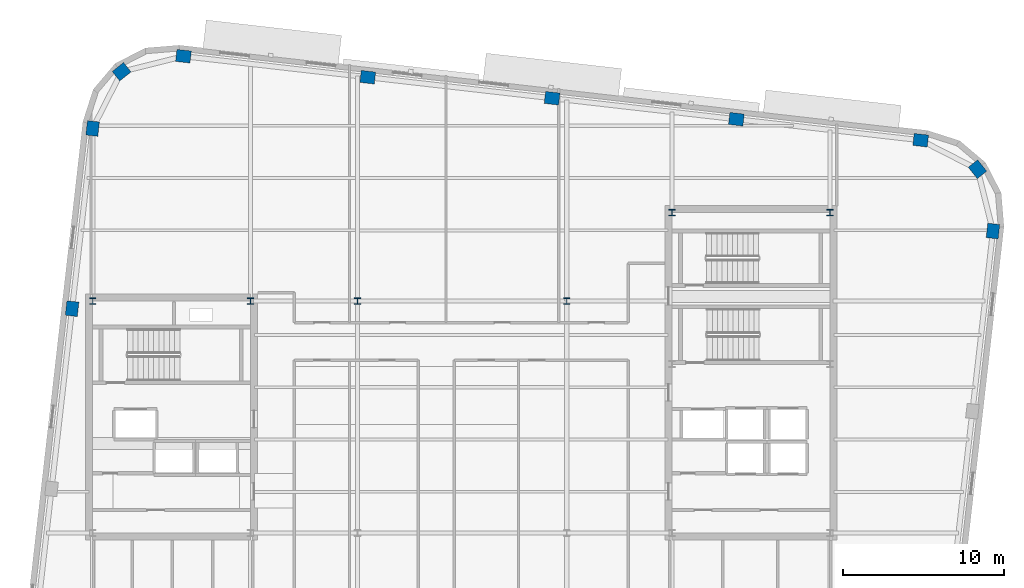
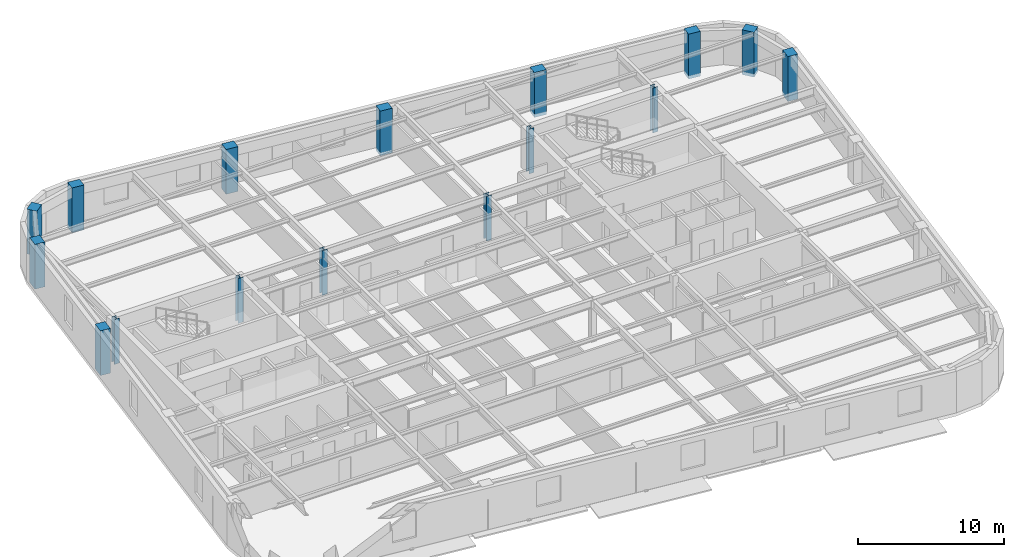
# One storey, part 2 of 13: 16 columns.
"""IFC4 building model written with IfcOpenShell, lengths in metres."""

from ifc_helpers import new_model, si_unit, direction, frame, origin, origin_2d, place, context, subcontext, project, spatial, rectangle, i_section, extrude, material, material_profile, profile_set, type_object, element, save


model = new_model("IFC4")

# Units and contexts
model_context = context("Model", 3, precision=1e-05, world=origin(), true_north=direction((0.0, 1.0)))
body_context = subcontext(model_context, "Body", "Model", "MODEL_VIEW")
ifc_project = project(units=[si_unit("LENGTHUNIT", "METRE"), si_unit("AREAUNIT", "SQUARE_METRE"), si_unit("VOLUMEUNIT", "CUBIC_METRE"), si_unit("PLANEANGLEUNIT", "RADIAN"), si_unit("MASSUNIT", "GRAM", prefix="KILO")], contexts=[model_context])

# Site, building, storey
site_placement = place(None, origin())
site = spatial("IfcSite", under=ifc_project, at=site_placement, CompositionType="ELEMENT")
building_placement = place(site_placement, origin())
building = spatial("IfcBuilding", under=site, at=building_placement, Name="Kolvaren Arena Tower", CompositionType="ELEMENT")
storey_placement = place(building_placement, frame((0.0, 0.0, 228.449951171875)))
storey = spatial("IfcBuildingStorey", under=building, at=storey_placement, Name="L55", CompositionType="ELEMENT", Elevation=228.449951171875)

# Columns
ifc_material_1 = material(Name="Precast concrete C55/67", Category="concrete")
ifc_material_profile_1 = material_profile(ifc_material_1, rectangle(XDim=0.89990234375, YDim=0.75, at=origin_2d()), Name="RC-900x750")
ifc_profile_set_1 = profile_set([ifc_material_profile_1], Name="Precast concrete C55/67")
column_type_1 = type_object("IfcColumnType", Name="EXCOL-Z4", PredefinedType="COLUMN", material=ifc_profile_set_1)
for number, where, z_axis, x_axis, name in (
    (1, (70.482177734375, 38.20458984375, -0.27001953125), (0.0, 0.0, 1.0), (0.113203213768, 0.993571855677, 0.0), "Exoskeleton Perimeter Column 10 (L55)"),
    (2, (69.519775390625, 42.047119140625, -0.27001953125), (0.0, 0.0, 1.0), (-0.622514636638, 0.782608156852, 0.0), "Exoskeleton Perimeter Column 11 (L55)"),
    (3, (65.9921875, 43.84912109375, -0.27001953125), (0.0, 0.0, 1.0), (0.993571855677, -0.113203213768, 0.0), "Exoskeleton Perimeter Column 12 (L55)"),
    (4, (54.54150390625, 45.15380859375, -0.27001953125), (0.0, 0.0, 1.0), (0.993571855677, -0.113203213768, 0.0), "Exoskeleton Perimeter Column 13 (L55)"),
    (5, (43.090576171875, 46.45849609375, -0.27001953125), (0.0, 0.0, 1.0), (0.993571855677, -0.113203213768, 0.0), "Exoskeleton Perimeter Column 14 (L55)"),
    (6, (31.6396484375, 47.76318359375, -0.27001953125), (0.0, 0.0, 1.0), (0.993571855677, -0.113203213768, 0.0), "Exoskeleton Perimeter Column 15 (L55)"),
    (7, (20.188720703125, 49.06787109375, -0.27001953125), (0.0, 0.0, 1.0), (0.993571855677, -0.113203213768, 0.0), "Exoskeleton Perimeter Column 16 (L55)"),
    (8, (16.34619140625, 48.10546875, -0.27001953125), (0.0, 0.0, 1.0), (0.782608156852, 0.622514636638, 0.0), "Exoskeleton Perimeter Column 17 (L55)"),
    (9, (14.544189453125, 44.577880859375, -0.27001953125), (0.0, 0.0, 1.0), (0.113203213768, 0.993571855677, 0.0), "Exoskeleton Perimeter Column 18 (L55)"),
    (10, (13.268798828125, 33.3837890625, -0.27001953125), (0.0, 0.0, 1.0), (0.113203213768, 0.993571855677, 0.0), "Exoskeleton Perimeter Column 19 (L55)"),
):
    element("IfcColumn", number, at=place(storey_placement, frame(where, z_axis=z_axis, x_axis=x_axis)), inside=storey, type_object=column_type_1, Name=name, PredefinedType="COLUMN", context=body_context, shape_type="SweptSolid", body=[
        extrude(rectangle(XDim=0.89990234375, YDim=0.75, at=origin_2d()), origin(), (0.0, 0.0, 1.0), 3.75),
    ])
ifc_material_2 = material(Name="Steel ASTM A913 Grade 65", Category="steel")
ifc_material_profile_2 = material_profile(ifc_material_2, i_section(OverallWidth=0.39892578125, OverallDepth=0.39306640625, WebThickness=0.022705078125, FlangeThickness=0.03662109375, FilletRadius=0.02001953125, at=origin_2d()), Name="W360x287")
ifc_profile_set_2 = profile_set([ifc_material_profile_2], Name="Steel ASTM A913 Grade 65")
column_type_2 = type_object("IfcColumnType", Name="SCOL-Z4", PredefinedType="COLUMN", material=ifc_profile_set_2)
for number, where, z_axis, x_axis, name in (
    (11, (14.550048828125, 33.85009765625, -0.27001953125), (0.0, 0.0, 1.0), (1.0, 0.0, 0.0), "Core Boundary Column WC-NW (L55)"),
    (12, (24.35009765625, 33.85009765625, -0.27001953125), (0.0, 0.0, 1.0), (1.0, 0.0, 0.0), "Core Boundary Column WC-NE (L55)"),
    (13, (50.550048828125, 39.35009765625, -0.27001953125), (0.0, 0.0, 1.0), (1.0, 0.0, 0.0), "Core Boundary Column EC-NW (L55)"),
    (14, (60.35009765625, 39.35009765625, -0.27001953125), (0.0, 0.0, 1.0), (1.0, 0.0, 0.0), "Core Boundary Column EC-NE (L55)"),
    (15, (31.0, 33.85009765625, -0.27001953125), (0.0, 0.0, 1.0), (1.0, 0.0, 0.0), "Interior Gravity Column TC-NW (L55)"),
    (16, (44.0, 33.85009765625, -0.27001953125), (0.0, 0.0, 1.0), (1.0, 0.0, 0.0), "Interior Gravity Column TC-NE (L55)"),
):
    element("IfcColumn", number, at=place(storey_placement, frame(where, z_axis=z_axis, x_axis=x_axis)), inside=storey, type_object=column_type_2, Name=name, PredefinedType="COLUMN", context=body_context, shape_type="SweptSolid", body=[
        extrude(i_section(OverallWidth=0.39892578125, OverallDepth=0.39306640625, WebThickness=0.022705078125, FlangeThickness=0.03662109375, FilletRadius=0.02001953125, at=origin_2d()), origin(), (0.0, 0.0, 1.0), 3.75),
    ])

save(model, "model.ifc")
